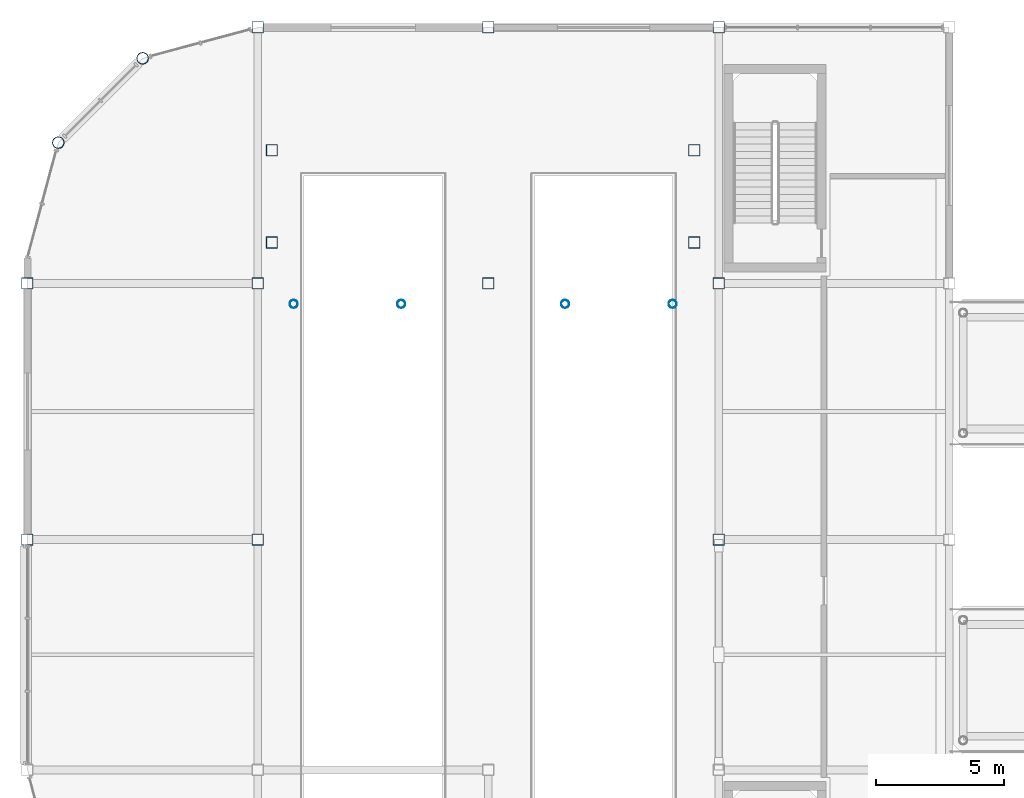
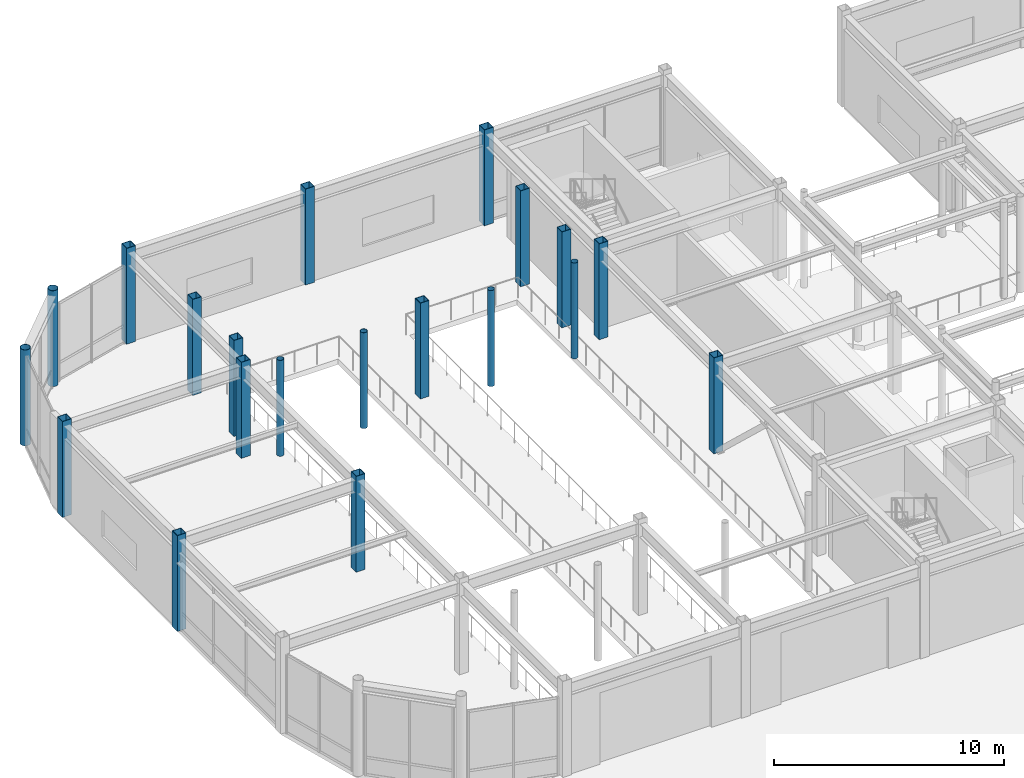
# One storey, part 16 of 123: 20 columns.
"""IFC4 building model written with IfcOpenShell, lengths in metres."""

from ifc_helpers import new_model, si_unit, direction, frame, origin, origin_2d, place, context, subcontext, project, spatial, hollow_rectangle, hollow_circle, extrude, material, material_profile, profile_set, type_object, element, save


model = new_model("IFC4")

# Units and contexts
model_context = context("Model", 3, precision=1e-05, world=origin(), true_north=direction((0.0, 1.0)))
body_context = subcontext(model_context, "Body", "Model", "MODEL_VIEW")
ifc_project = project(units=[si_unit("LENGTHUNIT", "METRE"), si_unit("AREAUNIT", "SQUARE_METRE"), si_unit("VOLUMEUNIT", "CUBIC_METRE"), si_unit("PLANEANGLEUNIT", "RADIAN"), si_unit("MASSUNIT", "GRAM", prefix="KILO")], contexts=[model_context])

# Site, building, storey
site_placement = place(None, origin())
site = spatial("IfcSite", under=ifc_project, at=site_placement, CompositionType="ELEMENT")
building_placement = place(site_placement, origin())
building = spatial("IfcBuilding", under=site, at=building_placement, Name="Suzunagisa Mobility Hub", CompositionType="ELEMENT")
storey_placement = place(building_placement, origin())
storey = spatial("IfcBuildingStorey", under=building, at=storey_placement, Name="L00", CompositionType="ELEMENT", Elevation=0.0)

# Columns
ifc_material = material(Name="Steel SN490B", Category="steel")
ifc_material_profile_1 = material_profile(ifc_material, hollow_circle(Radius=0.228515625, WallThickness=0.01611328125, at=origin_2d()), Name="CHS-457.2x16.0")
ifc_profile_set_1 = profile_set([ifc_material_profile_1], Name="Steel SN490B")
column_type_1 = type_object("IfcColumnType", Name="Steel Column CL-08 CHS-457.2x16.0", PredefinedType="COLUMN", material=ifc_profile_set_1)
for number, where, z_axis, x_axis, name in (
    (1, (1.205810546875, 113.5, 0.0), (0.0, 0.0, 1.0), (1.0, 0.0, 0.0), "L00 Column 14"),
    (2, (4.5, 116.794189453125, 0.0), (0.0, 0.0, 1.0), (1.0, 0.0, 0.0), "L00 Column 19"),
):
    element("IfcColumn", number, at=place(storey_placement, frame(where, z_axis=z_axis, x_axis=x_axis)), inside=storey, type_object=column_type_1, Name=name, PredefinedType="COLUMN", context=body_context, shape_type="SweptSolid", body=[
        extrude(hollow_circle(Radius=0.228515625, WallThickness=0.01611328125, at=origin_2d()), origin(), (0.0, 0.0, 1.0), 5.10009765625),
    ])
ifc_material_profile_2 = material_profile(ifc_material, hollow_circle(Radius=0.1591796875, WallThickness=0.01025390625, at=origin_2d()), Name="CHS-318.5x10.3")
ifc_profile_set_2 = profile_set([ifc_material_profile_2], Name="Steel SN490B")
column_type_2 = type_object("IfcColumnType", Name="Steel Column CL-09 CHS-318.5x10.3", PredefinedType="COLUMN", material=ifc_profile_set_2)
for number, where, z_axis, x_axis, name in (
    (3, (10.39990234375, 107.199951171875, 0.0), (0.0, 0.0, 1.0), (1.0, 0.0, 0.0), "L00 Column 36"),
    (4, (14.60009765625, 107.199951171875, 0.0), (0.0, 0.0, 1.0), (1.0, 0.0, 0.0), "L00 Column 39"),
    (5, (21.0, 107.199951171875, 0.0), (0.0, 0.0, 1.0), (1.0, 0.0, 0.0), "L00 Column 56"),
    (6, (25.199951171875, 107.199951171875, 0.0), (0.0, 0.0, 1.0), (1.0, 0.0, 0.0), "L00 Column 58"),
):
    element("IfcColumn", number, at=place(storey_placement, frame(where, z_axis=z_axis, x_axis=x_axis)), inside=storey, type_object=column_type_2, Name=name, PredefinedType="COLUMN", context=body_context, shape_type="SweptSolid", body=[
        extrude(hollow_circle(Radius=0.1591796875, WallThickness=0.01025390625, at=origin_2d()), origin(), (0.0, 0.0, 1.0), 5.10009765625),
    ])
ifc_material_profile_3 = material_profile(ifc_material, hollow_rectangle(XDim=0.449951171875, YDim=0.449951171875, WallThickness=0.02197265625, at=origin_2d()), Name="BCR-450x450x22")
ifc_profile_set_3 = profile_set([ifc_material_profile_3], Name="Steel SN490B")
column_type_3 = type_object("IfcColumnType", Name="Steel Column CL-17 BCR-450x450x22", PredefinedType="COLUMN", material=ifc_profile_set_3)
for number, where, z_axis, x_axis, name in (
    (7, (0.0, 98.0, 0.0), (0.0, 0.0, 1.0), (1.0, 0.0, 0.0), "L00 Column 9"),
    (8, (0.0, 108.0, 0.0), (0.0, 0.0, 1.0), (1.0, 0.0, 0.0), "L00 Column 10"),
    (9, (9.0, 98.0, 0.0), (0.0, 0.0, 1.0), (1.0, 0.0, 0.0), "L00 Column 30"),
    (10, (9.0, 108.0, 0.0), (0.0, 0.0, 1.0), (1.0, 0.0, 0.0), "L00 Column 31"),
    (11, (9.0, 118.0, 0.0), (0.0, 0.0, 1.0), (1.0, 0.0, 0.0), "L00 Column 32"),
    (12, (9.550048828125, 109.60009765625, 0.0), (0.0, 0.0, 1.0), (1.0, 0.0, 0.0), "L00 Column 33"),
    (13, (9.550048828125, 113.199951171875, 0.0), (0.0, 0.0, 1.0), (1.0, 0.0, 0.0), "L00 Column 34"),
    (14, (18.0, 108.0, 0.0), (0.0, 0.0, 1.0), (1.0, 0.0, 0.0), "L00 Column 52"),
    (15, (18.0, 118.0, 0.0), (0.0, 0.0, 1.0), (1.0, 0.0, 0.0), "L00 Column 53"),
    (16, (26.050048828125, 109.60009765625, 0.0), (0.0, 0.0, 1.0), (1.0, 0.0, 0.0), "L00 Column 60"),
    (17, (26.050048828125, 113.199951171875, 0.0), (0.0, 0.0, 1.0), (1.0, 0.0, 0.0), "L00 Column 61"),
    (18, (27.0, 98.0, 0.0), (0.0, 0.0, 1.0), (1.0, 0.0, 0.0), "L00 Column 72"),
    (19, (27.0, 108.0, 0.0), (0.0, 0.0, 1.0), (1.0, 0.0, 0.0), "L00 Column 73"),
    (20, (27.0, 118.0, 0.0), (0.0, 0.0, 1.0), (1.0, 0.0, 0.0), "L00 Column 74"),
):
    element("IfcColumn", number, at=place(storey_placement, frame(where, z_axis=z_axis, x_axis=x_axis)), inside=storey, type_object=column_type_3, Name=name, PredefinedType="COLUMN", context=body_context, shape_type="SweptSolid", body=[
        extrude(hollow_rectangle(XDim=0.449951171875, YDim=0.449951171875, WallThickness=0.02197265625, at=origin_2d()), origin(), (0.0, 0.0, 1.0), 5.10009765625),
    ])

save(model, "model.ifc")
